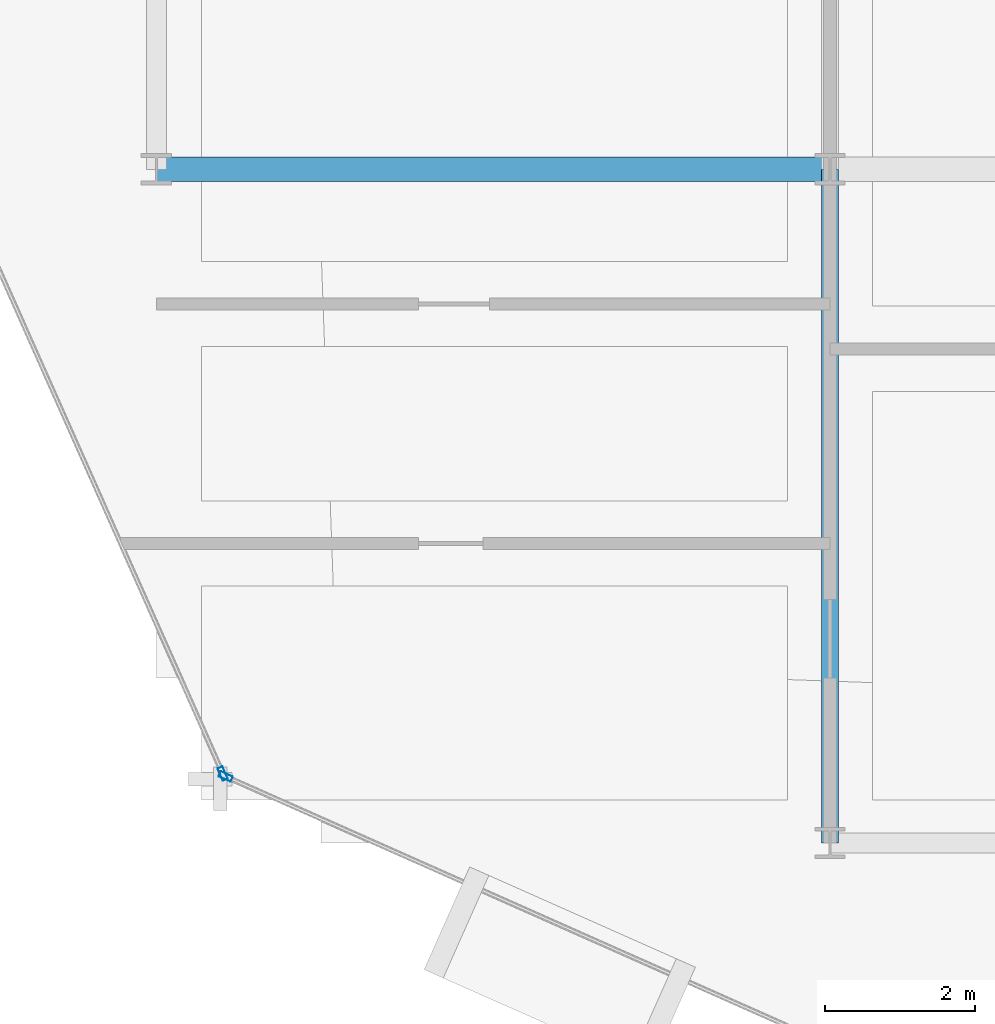
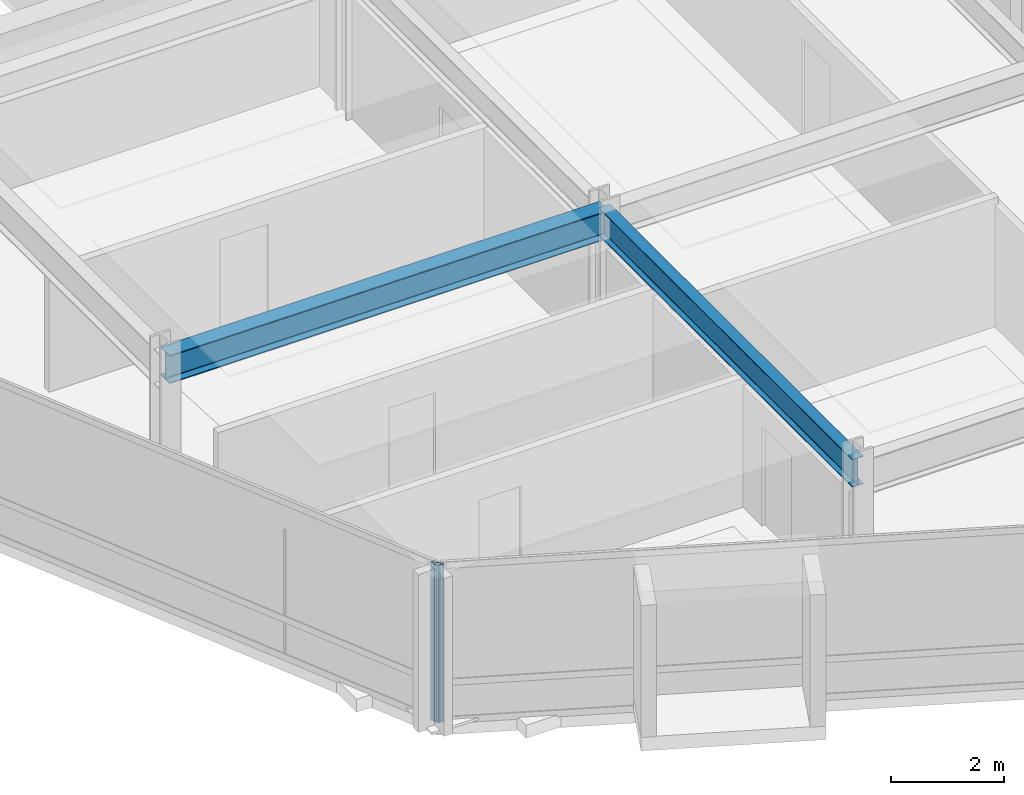
# One storey, part 2 of 27: 2 beams, 2 members, 2 elements without a shape of their own.
"""IFC4 building model written with IfcOpenShell, lengths in metres."""

from ifc_helpers import new_model, si_unit, direction, frame, origin, origin_2d, place, context, subcontext, project, spatial, hollow_rectangle, i_section, extrude, material, layer, layer_set, material_profile, profile_set, type_object, element, aggregate, save


model = new_model("IFC4")

# Units and contexts
model_context = context("Model", 3, precision=1e-05, world=origin(), true_north=direction((0.0, 1.0)))
body_context = subcontext(model_context, "Body", "Model", "MODEL_VIEW")
ifc_project = project(units=[si_unit("LENGTHUNIT", "METRE"), si_unit("AREAUNIT", "SQUARE_METRE"), si_unit("VOLUMEUNIT", "CUBIC_METRE"), si_unit("PLANEANGLEUNIT", "RADIAN"), si_unit("MASSUNIT", "GRAM", prefix="KILO")], contexts=[model_context])

# Site, building, storey
site_placement = place(None, origin())
site = spatial("IfcSite", under=ifc_project, at=site_placement, CompositionType="ELEMENT")
building_placement = place(site_placement, origin())
building = spatial("IfcBuilding", under=site, at=building_placement, Name="Solvaryn Broadcast Tower", CompositionType="ELEMENT")
storey_placement = place(building_placement, frame((0.0, 0.0, 177.89990234375)))
storey = spatial("IfcBuildingStorey", under=building, at=storey_placement, Name="L44", CompositionType="ELEMENT", Elevation=177.89990234375)

# Beams
ifc_material_1 = material(Name="Steel ASTM A992 Grade 50", Category="steel")
ifc_material_profile_1 = material_profile(ifc_material_1, i_section(OverallWidth=0.323974609375, OverallDepth=0.611083984375, WebThickness=0.0126953125, FlangeThickness=0.01904296875, FilletRadius=0.014892578125, at=origin_2d()))
ifc_profile_set_1 = profile_set([ifc_material_profile_1], Name="Steel ASTM A992 Grade 50")
beam_type_1 = type_object("IfcBeamType", Name="BM-B1-W24X104", PredefinedType="BEAM", material=ifc_profile_set_1)
beam_1_placement = place(storey_placement, frame((9.0, 18.0, 3.114501953125), z_axis=(1.0, 0.0, 0.0), x_axis=(0.0, 1.0, 0.0)))
element("IfcBeam", 1, at=beam_1_placement, inside=storey, type_object=beam_type_1, Name="L44 Primary Beam X (9-18 @ Y=18)", PredefinedType="BEAM", context=body_context, shape_type="SweptSolid", body=[
    extrude(i_section(OverallWidth=0.323974609375, OverallDepth=0.611083984375, WebThickness=0.0126953125, FlangeThickness=0.01904296875, FilletRadius=0.014892578125, at=origin_2d()), origin(), (0.0, 0.0, 1.0), 9.0),
])
ifc_material_2 = material(Name="Steel ASTM A992 Grade 50", Category="steel")
ifc_material_profile_2 = material_profile(ifc_material_2, i_section(OverallWidth=0.22802734375, OverallDepth=0.60791015625, WebThickness=0.01123046875, FlangeThickness=0.017333984375, FilletRadius=0.014892578125, at=origin_2d()))
ifc_profile_set_2 = profile_set([ifc_material_profile_2], Name="Steel ASTM A992 Grade 50")
beam_type_2 = type_object("IfcBeamType", Name="BM-B2-W24X76", PredefinedType="BEAM", material=ifc_profile_set_2)
beam_2_placement = place(storey_placement, frame((18.0, 9.0, 3.1162109375), z_axis=(0.0, 1.0, 0.0), x_axis=(-1.0, 0.0, 0.0)))
element("IfcBeam", 2, at=beam_2_placement, inside=storey, type_object=beam_type_2, Name="L44 Primary Beam Y (9-18 @ X=18)", PredefinedType="BEAM", context=body_context, shape_type="SweptSolid", body=[
    extrude(i_section(OverallWidth=0.22802734375, OverallDepth=0.60791015625, WebThickness=0.01123046875, FlangeThickness=0.017333984375, FilletRadius=0.014892578125, at=origin_2d()), origin(), (0.0, 0.0, 1.0), 9.0),
])

# Curtain wall, member
ifc_material_3 = material(Name="Aluminium and Terracotta Unitised Curtain Wall", Category="masonry")
ifc_layer = layer(ifc_material_3, 0.199951171875)
ifc_layer_set = layer_set([ifc_layer], Name="CW-SYS2-LOWMID")
curtain_wall_type = type_object("IfcCurtainWallType", Name="CW-SYS2-LOWMID", PredefinedType="NOTDEFINED", material=ifc_layer_set)
curtain_wall_1_placement = place(storey_placement, origin())
curtain_wall_1 = element("IfcCurtainWall", 3, at=curtain_wall_1_placement, inside=storey, type_object=curtain_wall_type, Name="L44 Curtain Wall DR2", PredefinedType="NOTDEFINED")
ifc_material_4 = material(Name="Anodised Aluminium 6063-T6", Category="aluminium")
ifc_material_profile_3 = material_profile(ifc_material_4, hollow_rectangle(XDim=0.074951171875, YDim=0.179931640625, WallThickness=0.00390625, InnerFilletRadius=0.00390625, OuterFilletRadius=0.008056640625, at=origin_2d()))
ifc_profile_set_3 = profile_set([ifc_material_profile_3], Name="Anodised Aluminium 6063-T6")
member_type = type_object("IfcMemberType", Name="CW-MUL-180", PredefinedType="MULLION", material=ifc_profile_set_3)
member_1_placement = place(storey_placement, frame((9.8857421875, 9.925537109375, 0.0), z_axis=(0.0, 0.0, 1.0), x_axis=(0.913916902365, 0.405901337237, 0.0)))
member_1 = element("IfcMember", 4, at=member_1_placement, type_object=member_type, Name="CWS2 mullion 2", PredefinedType="MULLION", context=body_context, shape_type="SweptSolid", body=[
    extrude(hollow_rectangle(XDim=0.074951171875, YDim=0.179931640625, WallThickness=0.00390625, InnerFilletRadius=0.00390625, OuterFilletRadius=0.008056640625, at=origin_2d()), origin(), (0.0, 0.0, 1.0), 3.420166015625),
])
aggregate(curtain_wall_1, [member_1])

curtain_wall_2_placement = place(storey_placement, origin())
curtain_wall_2 = element("IfcCurtainWall", 5, at=curtain_wall_2_placement, inside=storey, type_object=curtain_wall_type, Name="L44 Curtain Wall DR3", PredefinedType="NOTDEFINED")
member_2_placement = place(storey_placement, frame((9.925537109375, 9.8857421875, 0.0), z_axis=(0.0, 0.0, 1.0), x_axis=(0.405901337237, 0.913916902365, 0.0)))
member_2 = element("IfcMember", 6, at=member_2_placement, type_object=member_type, Name="CWS2 mullion 1", PredefinedType="MULLION", context=body_context, shape_type="SweptSolid", body=[
    extrude(hollow_rectangle(XDim=0.074951171875, YDim=0.179931640625, WallThickness=0.00390625, InnerFilletRadius=0.00390625, OuterFilletRadius=0.008056640625, at=origin_2d()), origin(), (0.0, 0.0, 1.0), 3.420166015625),
])
aggregate(curtain_wall_2, [member_2])

save(model, "model.ifc")
